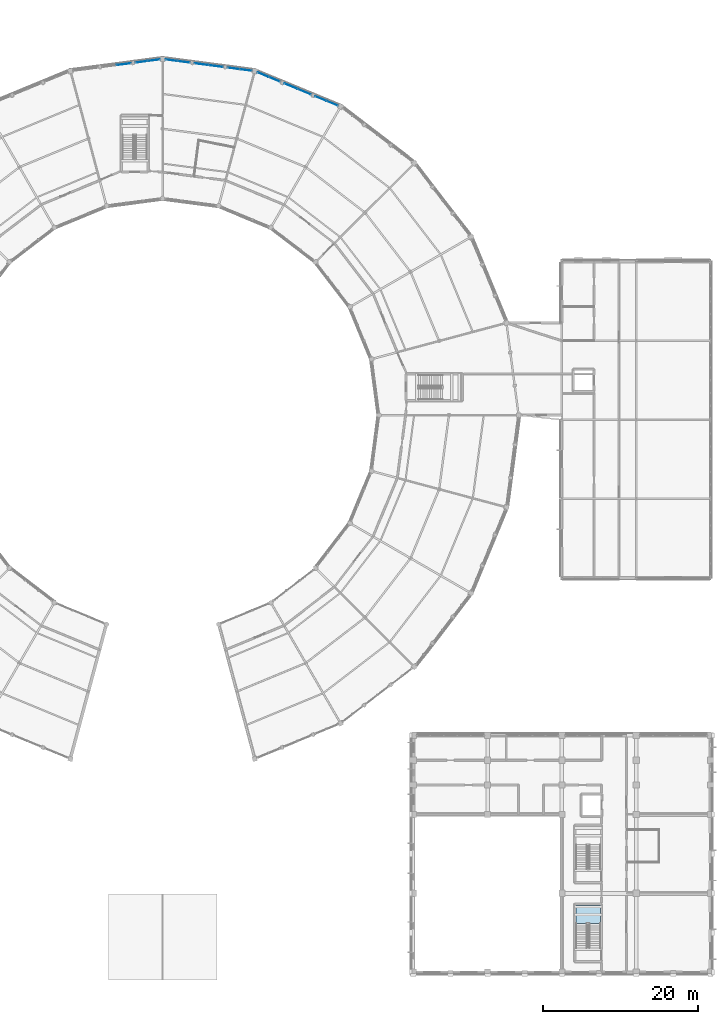
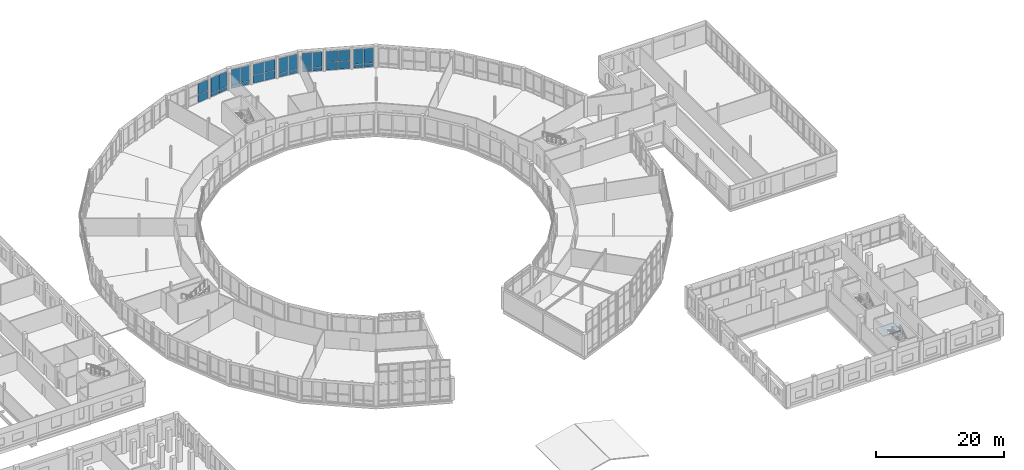
# One storey, part 131 of 170: 30 plates, 1 slab, 9 elements without a shape of their own.
"""IFC4 building model written with IfcOpenShell, lengths in metres."""

from ifc_helpers import new_model, si_unit, direction, frame, origin, origin_2d, place, context, subcontext, project, spatial, polyline, rectangle, outline, extrude, material, layer, layer_set, type_object, element, aggregate, save


model = new_model("IFC4")

# Units and contexts
model_context = context("Model", 3, precision=1e-05, world=origin(), true_north=direction((0.0, 1.0)))
body_context = subcontext(model_context, "Body", "Model", "MODEL_VIEW")
ifc_project = project(units=[si_unit("LENGTHUNIT", "METRE"), si_unit("AREAUNIT", "SQUARE_METRE"), si_unit("VOLUMEUNIT", "CUBIC_METRE"), si_unit("PLANEANGLEUNIT", "RADIAN"), si_unit("MASSUNIT", "GRAM", prefix="KILO")], contexts=[model_context])

# Site, building, storey
site_placement = place(None, origin())
site = spatial("IfcSite", under=ifc_project, at=site_placement, CompositionType="ELEMENT")
building_placement = place(site_placement, origin())
building = spatial("IfcBuilding", under=site, at=building_placement, Name="Vondelvale Polytechnic", CompositionType="ELEMENT")
storey_placement = place(building_placement, frame((0.0, 0.0, 5.39990234375)))
storey = spatial("IfcBuildingStorey", under=building, at=storey_placement, Name="L01", CompositionType="ELEMENT", Elevation=5.39990234375)

# Curtain wall, plates
ifc_material_1 = material(Name="Glulam GL18 structural Tasmanian oak (fb = 42 MPa)", Category="wood")
curtain_wall_type = type_object("IfcCurtainWallType", Name="CW-RING-OUTER", PredefinedType="NOTDEFINED", material=ifc_material_1)
curtain_wall_1_placement = place(storey_placement, origin())
curtain_wall_1 = element("IfcCurtainWall", 1, at=curtain_wall_1_placement, inside=storey, type_object=curtain_wall_type, Name="L01 architectural curtain wall CW-04-116", PredefinedType="NOTDEFINED")
ifc_material_2 = material(Name="Double-glazed low-E insulated architectural glass", Category="glass")
ifc_layer_1 = layer(ifc_material_2, 0.028076171875)
ifc_layer_set_1 = layer_set([ifc_layer_1], Name="CW-PANEL-GLAZED")
plate_type_1 = type_object("IfcPlateType", Name="CW-PANEL-GLAZED", PredefinedType="CURTAIN_PANEL", material=ifc_layer_set_1)
plate_1_placement = place(storey_placement, frame((123.92578125, 112.2822265625, 0.7802734375), z_axis=(0.0, 0.0, 1.0), x_axis=(-0.923882033442, 0.382677394529, 0.0)))
plate_1 = element("IfcPlate", 2, at=plate_1_placement, type_object=plate_type_1, Name="CW-04-116 panel 1.2", PredefinedType="CURTAIN_PANEL", context=body_context, shape_type="SweptSolid", body=[
    extrude(rectangle(XDim=1.530029296875, YDim=0.028076171875, at=origin_2d()), origin(), (0.0, 0.0, 1.0), 2.8798828125),
])
plate_2_placement = place(storey_placement, frame((122.4521484375, 112.892578125, 0.7802734375), z_axis=(0.0, 0.0, 1.0), x_axis=(-0.923882033442, 0.382677394529, 0.0)))
plate_2 = element("IfcPlate", 3, at=plate_2_placement, type_object=plate_type_1, Name="CW-04-116 panel 2.2", PredefinedType="CURTAIN_PANEL", context=body_context, shape_type="SweptSolid", body=[
    extrude(rectangle(XDim=1.530029296875, YDim=0.028076171875, at=origin_2d()), origin(), (0.0, 0.0, 1.0), 2.8798828125),
])

curtain_wall_2_placement = place(storey_placement, origin())
curtain_wall_2 = element("IfcCurtainWall", 4, at=curtain_wall_2_placement, inside=storey, type_object=curtain_wall_type, Name="L01 architectural curtain wall CW-04-118", PredefinedType="NOTDEFINED")
plate_3_placement = place(storey_placement, frame((116.453369140625, 115.377197265625, 0.7802734375), z_axis=(0.0, 0.0, 1.0), x_axis=(-0.923882033442, 0.382677394529, 0.0)))
plate_3 = element("IfcPlate", 5, at=plate_3_placement, type_object=plate_type_1, Name="CW-04-118 panel 1.2", PredefinedType="CURTAIN_PANEL", context=body_context, shape_type="SweptSolid", body=[
    extrude(rectangle(XDim=1.530029296875, YDim=0.028076171875, at=origin_2d()), origin(), (0.0, 0.0, 1.0), 2.8798828125),
])
plate_4_placement = place(storey_placement, frame((114.97998046875, 115.98779296875, 0.7802734375), z_axis=(0.0, 0.0, 1.0), x_axis=(-0.923882033442, 0.382677394529, 0.0)))
plate_4 = element("IfcPlate", 6, at=plate_4_placement, type_object=plate_type_1, Name="CW-04-118 panel 2.2", PredefinedType="CURTAIN_PANEL", context=body_context, shape_type="SweptSolid", body=[
    extrude(rectangle(XDim=1.530029296875, YDim=0.028076171875, at=origin_2d()), origin(), (0.0, 0.0, 1.0), 2.8798828125),
])

curtain_wall_3_placement = place(storey_placement, origin())
curtain_wall_3 = element("IfcCurtainWall", 7, at=curtain_wall_3_placement, inside=storey, type_object=curtain_wall_type, Name="L01 architectural curtain wall CW-04-136", PredefinedType="NOTDEFINED")
plate_5_placement = place(storey_placement, frame((112.7529296875, 116.584228515625, 0.7802734375), z_axis=(0.0, 0.0, 1.0), x_axis=(-0.991443102996, 0.130539547729, 0.0)))
plate_5 = element("IfcPlate", 8, at=plate_5_placement, type_object=plate_type_1, Name="CW-04-136 panel 1.2", PredefinedType="CURTAIN_PANEL", context=body_context, shape_type="SweptSolid", body=[
    extrude(rectangle(XDim=1.530029296875, YDim=0.028076171875, at=origin_2d()), origin(), (0.0, 0.0, 1.0), 2.8798828125),
])
plate_6_placement = place(storey_placement, frame((111.171630859375, 116.79248046875, 0.7802734375), z_axis=(0.0, 0.0, 1.0), x_axis=(-0.991443102996, 0.130539547729, 0.0)))
plate_6 = element("IfcPlate", 9, at=plate_6_placement, type_object=plate_type_1, Name="CW-04-136 panel 2.2", PredefinedType="CURTAIN_PANEL", context=body_context, shape_type="SweptSolid", body=[
    extrude(rectangle(XDim=1.530029296875, YDim=0.028076171875, at=origin_2d()), origin(), (0.0, 0.0, 1.0), 2.8798828125),
])

curtain_wall_4_placement = place(storey_placement, origin())
curtain_wall_4 = element("IfcCurtainWall", 10, at=curtain_wall_4_placement, inside=storey, type_object=curtain_wall_type, Name="L01 architectural curtain wall CW-04-137", PredefinedType="NOTDEFINED")
plate_7_placement = place(storey_placement, frame((108.8818359375, 117.093994140625, 1.6298828125), z_axis=(0.0, 0.0, 1.0), x_axis=(-0.991448671082, 0.130497251349, 0.0)))
plate_7 = element("IfcPlate", 11, at=plate_7_placement, type_object=plate_type_1, Name="CW-04-137 panel 1.2", PredefinedType="CURTAIN_PANEL", context=body_context, shape_type="SweptSolid", body=[
    extrude(rectangle(XDim=1.80908203125, YDim=0.028076171875, at=origin_2d()), origin(), (0.0, 0.0, 1.0), 2.030029296875),
])
plate_8_placement = place(storey_placement, frame((107.02392578125, 117.338623046875, 1.6298828125), z_axis=(0.0, 0.0, 1.0), x_axis=(-0.991448671082, 0.130497251349, 0.0)))
plate_8 = element("IfcPlate", 12, at=plate_8_placement, type_object=plate_type_1, Name="CW-04-137 panel 2.2", PredefinedType="CURTAIN_PANEL", context=body_context, shape_type="SweptSolid", body=[
    extrude(rectangle(XDim=1.80908203125, YDim=0.028076171875, at=origin_2d()), origin(), (0.0, 0.0, 1.0), 2.030029296875),
])

curtain_wall_5_placement = place(storey_placement, origin())
curtain_wall_5 = element("IfcCurtainWall", 13, at=curtain_wall_5_placement, inside=storey, type_object=curtain_wall_type, Name="L01 architectural curtain wall CW-04-138", PredefinedType="NOTDEFINED")
plate_9_placement = place(storey_placement, frame((104.734130859375, 117.64013671875, 0.7802734375), z_axis=(0.0, 0.0, 1.0), x_axis=(-0.991443102996, 0.130539547729, 0.0)))
plate_9 = element("IfcPlate", 14, at=plate_9_placement, type_object=plate_type_1, Name="CW-04-138 panel 1.2", PredefinedType="CURTAIN_PANEL", context=body_context, shape_type="SweptSolid", body=[
    extrude(rectangle(XDim=1.530029296875, YDim=0.028076171875, at=origin_2d()), origin(), (0.0, 0.0, 1.0), 2.8798828125),
])
plate_10_placement = place(storey_placement, frame((103.15283203125, 117.84814453125, 0.7802734375), z_axis=(0.0, 0.0, 1.0), x_axis=(-0.991443102996, 0.130539547729, 0.0)))
plate_10 = element("IfcPlate", 15, at=plate_10_placement, type_object=plate_type_1, Name="CW-04-138 panel 2.2", PredefinedType="CURTAIN_PANEL", context=body_context, shape_type="SweptSolid", body=[
    extrude(rectangle(XDim=1.530029296875, YDim=0.028076171875, at=origin_2d()), origin(), (0.0, 0.0, 1.0), 2.8798828125),
])

curtain_wall_6_placement = place(storey_placement, origin())
curtain_wall_6 = element("IfcCurtainWall", 16, at=curtain_wall_6_placement, inside=storey, type_object=curtain_wall_type, Name="L01 architectural curtain wall CW-04-156", PredefinedType="NOTDEFINED")
plate_11_placement = place(storey_placement, frame((100.84716796875, 117.84814453125, 0.7802734375), z_axis=(0.0, 0.0, 1.0), x_axis=(-0.991443102996, -0.130539547729, 0.0)))
plate_11 = element("IfcPlate", 17, at=plate_11_placement, type_object=plate_type_1, Name="CW-04-156 panel 1.2", PredefinedType="CURTAIN_PANEL", context=body_context, shape_type="SweptSolid", body=[
    extrude(rectangle(XDim=1.530029296875, YDim=0.028076171875, at=origin_2d()), origin(), (0.0, 0.0, 1.0), 2.8798828125),
])
plate_12_placement = place(storey_placement, frame((99.265869140625, 117.64013671875, 0.7802734375), z_axis=(0.0, 0.0, 1.0), x_axis=(-0.991443102996, -0.130539547729, 0.0)))
plate_12 = element("IfcPlate", 18, at=plate_12_placement, type_object=plate_type_1, Name="CW-04-156 panel 2.2", PredefinedType="CURTAIN_PANEL", context=body_context, shape_type="SweptSolid", body=[
    extrude(rectangle(XDim=1.530029296875, YDim=0.028076171875, at=origin_2d()), origin(), (0.0, 0.0, 1.0), 2.8798828125),
])

curtain_wall_7_placement = place(storey_placement, origin())
curtain_wall_7 = element("IfcCurtainWall", 19, at=curtain_wall_7_placement, inside=storey, type_object=curtain_wall_type, Name="L01 architectural curtain wall CW-04-117", PredefinedType="NOTDEFINED")
ifc_material_3 = material(Name="Engineered Tasmanian oak studio and bridge joinery")
ifc_layer_2 = layer(ifc_material_3, 0.0419921875)
ifc_layer_set_2 = layer_set([ifc_layer_2], Name="CW-PANEL-OAK")
plate_type_2 = type_object("IfcPlateType", Name="CW-PANEL-OAK", PredefinedType="CURTAIN_PANEL", material=ifc_layer_set_2)
plate_13_placement = place(storey_placement, frame((120.318603515625, 113.7763671875, 0.06005859375), z_axis=(0.0, 0.0, 1.0), x_axis=(-0.92387490701, 0.382694599123, 0.0)))
plate_13 = element("IfcPlate", 20, at=plate_13_placement, type_object=plate_type_2, Name="CW-04-117 panel 1.1", PredefinedType="CURTAIN_PANEL", context=body_context, shape_type="SweptSolid", body=[
    extrude(rectangle(XDim=1.80908203125, YDim=0.0419921875, at=origin_2d()), origin(), (0.0, 0.0, 1.0), 1.510009765625),
])
plate_14_placement = place(storey_placement, frame((120.318603515625, 113.7763671875, 1.6298828125), z_axis=(0.0, 0.0, 1.0), x_axis=(-0.92387490701, 0.382694599123, 0.0)))
plate_14 = element("IfcPlate", 21, at=plate_14_placement, type_object=plate_type_2, Name="CW-04-117 panel 1.2", PredefinedType="CURTAIN_PANEL", context=body_context, shape_type="SweptSolid", body=[
    extrude(rectangle(XDim=1.80908203125, YDim=0.0419921875, at=origin_2d()), origin(), (0.0, 0.0, 1.0), 2.030029296875),
])
plate_15_placement = place(storey_placement, frame((118.587158203125, 114.493408203125, 0.06005859375), z_axis=(0.0, 0.0, 1.0), x_axis=(-0.92387490701, 0.382694599123, 0.0)))
plate_15 = element("IfcPlate", 22, at=plate_15_placement, type_object=plate_type_2, Name="CW-04-117 panel 2.1", PredefinedType="CURTAIN_PANEL", context=body_context, shape_type="SweptSolid", body=[
    extrude(rectangle(XDim=1.80908203125, YDim=0.0419921875, at=origin_2d()), origin(), (0.0, 0.0, 1.0), 1.510009765625),
])
plate_16_placement = place(storey_placement, frame((118.587158203125, 114.493408203125, 1.6298828125), z_axis=(0.0, 0.0, 1.0), x_axis=(-0.92387490701, 0.382694599123, 0.0)))
plate_16 = element("IfcPlate", 23, at=plate_16_placement, type_object=plate_type_2, Name="CW-04-117 panel 2.2", PredefinedType="CURTAIN_PANEL", context=body_context, shape_type="SweptSolid", body=[
    extrude(rectangle(XDim=1.80908203125, YDim=0.0419921875, at=origin_2d()), origin(), (0.0, 0.0, 1.0), 2.030029296875),
])
aggregate(curtain_wall_7, [plate_13, plate_14, plate_15, plate_16])

# Plate
plate_17_placement = place(storey_placement, frame((108.8818359375, 117.093994140625, 0.06005859375), z_axis=(0.0, 0.0, 1.0), x_axis=(-0.991448671082, 0.130497251349, 0.0)))
plate_17 = element("IfcPlate", 24, at=plate_17_placement, type_object=plate_type_2, Name="CW-04-137 panel 1.1", PredefinedType="CURTAIN_PANEL", context=body_context, shape_type="SweptSolid", body=[
    extrude(rectangle(XDim=1.80908203125, YDim=0.0419921875, at=origin_2d()), origin(), (0.0, 0.0, 1.0), 1.510009765625),
])

plate_18_placement = place(storey_placement, frame((107.02392578125, 117.338623046875, 0.06005859375), z_axis=(0.0, 0.0, 1.0), x_axis=(-0.991448671082, 0.130497251349, 0.0)))
plate_18 = element("IfcPlate", 25, at=plate_18_placement, type_object=plate_type_2, Name="CW-04-137 panel 2.1", PredefinedType="CURTAIN_PANEL", context=body_context, shape_type="SweptSolid", body=[
    extrude(rectangle(XDim=1.80908203125, YDim=0.0419921875, at=origin_2d()), origin(), (0.0, 0.0, 1.0), 1.510009765625),
])

aggregate(curtain_wall_4, [plate_17, plate_7, plate_18, plate_8])

# Curtain wall, plates
curtain_wall_8_placement = place(storey_placement, origin())
curtain_wall_8 = element("IfcCurtainWall", 26, at=curtain_wall_8_placement, inside=storey, type_object=curtain_wall_type, Name="L01 architectural curtain wall CW-04-157", PredefinedType="NOTDEFINED")
plate_19_placement = place(storey_placement, frame((96.97607421875, 117.338623046875, 0.06005859375), z_axis=(0.0, 0.0, 1.0), x_axis=(-0.991448671082, -0.130497251349, 0.0)))
plate_19 = element("IfcPlate", 27, at=plate_19_placement, type_object=plate_type_2, Name="CW-04-157 panel 1.1", PredefinedType="CURTAIN_PANEL", context=body_context, shape_type="SweptSolid", body=[
    extrude(rectangle(XDim=1.80908203125, YDim=0.0419921875, at=origin_2d()), origin(), (0.0, 0.0, 1.0), 1.510009765625),
])
plate_20_placement = place(storey_placement, frame((96.97607421875, 117.338623046875, 1.6298828125), z_axis=(0.0, 0.0, 1.0), x_axis=(-0.991448671082, -0.130497251349, 0.0)))
plate_20 = element("IfcPlate", 28, at=plate_20_placement, type_object=plate_type_2, Name="CW-04-157 panel 1.2", PredefinedType="CURTAIN_PANEL", context=body_context, shape_type="SweptSolid", body=[
    extrude(rectangle(XDim=1.80908203125, YDim=0.0419921875, at=origin_2d()), origin(), (0.0, 0.0, 1.0), 2.030029296875),
])
aggregate(curtain_wall_8, [plate_19, plate_20])

# Plate
ifc_material_4 = material(Name="Kiln-fired architectural terracotta", Category="masonry")
ifc_layer_3 = layer(ifc_material_4, 0.035888671875)
ifc_layer_set_3 = layer_set([ifc_layer_3], Name="CW-PANEL-SPANDREL")
plate_type_3 = type_object("IfcPlateType", Name="CW-PANEL-SPANDREL", PredefinedType="CURTAIN_PANEL", material=ifc_layer_set_3)
plate_21_placement = place(storey_placement, frame((123.92578125, 112.2822265625, 0.06005859375), z_axis=(0.0, 0.0, 1.0), x_axis=(-0.923882033442, 0.382677394529, 0.0)))
plate_21 = element("IfcPlate", 29, at=plate_21_placement, type_object=plate_type_3, Name="CW-04-116 panel 1.1", PredefinedType="CURTAIN_PANEL", context=body_context, shape_type="SweptSolid", body=[
    extrude(rectangle(XDim=1.530029296875, YDim=0.035888671875, at=origin_2d()), origin(), (0.0, 0.0, 1.0), 0.659912109375),
])

plate_22_placement = place(storey_placement, frame((122.4521484375, 112.892578125, 0.06005859375), z_axis=(0.0, 0.0, 1.0), x_axis=(-0.923882033442, 0.382677394529, 0.0)))
plate_22 = element("IfcPlate", 30, at=plate_22_placement, type_object=plate_type_3, Name="CW-04-116 panel 2.1", PredefinedType="CURTAIN_PANEL", context=body_context, shape_type="SweptSolid", body=[
    extrude(rectangle(XDim=1.530029296875, YDim=0.035888671875, at=origin_2d()), origin(), (0.0, 0.0, 1.0), 0.659912109375),
])

aggregate(curtain_wall_1, [plate_21, plate_1, plate_22, plate_2])

plate_23_placement = place(storey_placement, frame((116.453369140625, 115.377197265625, 0.06005859375), z_axis=(0.0, 0.0, 1.0), x_axis=(-0.923882033442, 0.382677394529, 0.0)))
plate_23 = element("IfcPlate", 31, at=plate_23_placement, type_object=plate_type_3, Name="CW-04-118 panel 1.1", PredefinedType="CURTAIN_PANEL", context=body_context, shape_type="SweptSolid", body=[
    extrude(rectangle(XDim=1.530029296875, YDim=0.035888671875, at=origin_2d()), origin(), (0.0, 0.0, 1.0), 0.659912109375),
])

plate_24_placement = place(storey_placement, frame((114.97998046875, 115.98779296875, 0.06005859375), z_axis=(0.0, 0.0, 1.0), x_axis=(-0.923882033442, 0.382677394529, 0.0)))
plate_24 = element("IfcPlate", 32, at=plate_24_placement, type_object=plate_type_3, Name="CW-04-118 panel 2.1", PredefinedType="CURTAIN_PANEL", context=body_context, shape_type="SweptSolid", body=[
    extrude(rectangle(XDim=1.530029296875, YDim=0.035888671875, at=origin_2d()), origin(), (0.0, 0.0, 1.0), 0.659912109375),
])

aggregate(curtain_wall_2, [plate_23, plate_3, plate_24, plate_4])

plate_25_placement = place(storey_placement, frame((112.7529296875, 116.584228515625, 0.06005859375), z_axis=(0.0, 0.0, 1.0), x_axis=(-0.991443102996, 0.130539547729, 0.0)))
plate_25 = element("IfcPlate", 33, at=plate_25_placement, type_object=plate_type_3, Name="CW-04-136 panel 1.1", PredefinedType="CURTAIN_PANEL", context=body_context, shape_type="SweptSolid", body=[
    extrude(rectangle(XDim=1.530029296875, YDim=0.035888671875, at=origin_2d()), origin(), (0.0, 0.0, 1.0), 0.659912109375),
])

plate_26_placement = place(storey_placement, frame((111.171630859375, 116.79248046875, 0.06005859375), z_axis=(0.0, 0.0, 1.0), x_axis=(-0.991443102996, 0.130539547729, 0.0)))
plate_26 = element("IfcPlate", 34, at=plate_26_placement, type_object=plate_type_3, Name="CW-04-136 panel 2.1", PredefinedType="CURTAIN_PANEL", context=body_context, shape_type="SweptSolid", body=[
    extrude(rectangle(XDim=1.530029296875, YDim=0.035888671875, at=origin_2d()), origin(), (0.0, 0.0, 1.0), 0.659912109375),
])

aggregate(curtain_wall_3, [plate_25, plate_5, plate_26, plate_6])

plate_27_placement = place(storey_placement, frame((104.734130859375, 117.64013671875, 0.06005859375), z_axis=(0.0, 0.0, 1.0), x_axis=(-0.991443102996, 0.130539547729, 0.0)))
plate_27 = element("IfcPlate", 35, at=plate_27_placement, type_object=plate_type_3, Name="CW-04-138 panel 1.1", PredefinedType="CURTAIN_PANEL", context=body_context, shape_type="SweptSolid", body=[
    extrude(rectangle(XDim=1.530029296875, YDim=0.035888671875, at=origin_2d()), origin(), (0.0, 0.0, 1.0), 0.659912109375),
])

plate_28_placement = place(storey_placement, frame((103.15283203125, 117.84814453125, 0.06005859375), z_axis=(0.0, 0.0, 1.0), x_axis=(-0.991443102996, 0.130539547729, 0.0)))
plate_28 = element("IfcPlate", 36, at=plate_28_placement, type_object=plate_type_3, Name="CW-04-138 panel 2.1", PredefinedType="CURTAIN_PANEL", context=body_context, shape_type="SweptSolid", body=[
    extrude(rectangle(XDim=1.530029296875, YDim=0.035888671875, at=origin_2d()), origin(), (0.0, 0.0, 1.0), 0.659912109375),
])

aggregate(curtain_wall_5, [plate_27, plate_9, plate_28, plate_10])

plate_29_placement = place(storey_placement, frame((100.84716796875, 117.84814453125, 0.06005859375), z_axis=(0.0, 0.0, 1.0), x_axis=(-0.991443102996, -0.130539547729, 0.0)))
plate_29 = element("IfcPlate", 37, at=plate_29_placement, type_object=plate_type_3, Name="CW-04-156 panel 1.1", PredefinedType="CURTAIN_PANEL", context=body_context, shape_type="SweptSolid", body=[
    extrude(rectangle(XDim=1.530029296875, YDim=0.035888671875, at=origin_2d()), origin(), (0.0, 0.0, 1.0), 0.659912109375),
])

plate_30_placement = place(storey_placement, frame((99.265869140625, 117.64013671875, 0.06005859375), z_axis=(0.0, 0.0, 1.0), x_axis=(-0.991443102996, -0.130539547729, 0.0)))
plate_30 = element("IfcPlate", 38, at=plate_30_placement, type_object=plate_type_3, Name="CW-04-156 panel 2.1", PredefinedType="CURTAIN_PANEL", context=body_context, shape_type="SweptSolid", body=[
    extrude(rectangle(XDim=1.530029296875, YDim=0.035888671875, at=origin_2d()), origin(), (0.0, 0.0, 1.0), 0.659912109375),
])

aggregate(curtain_wall_6, [plate_29, plate_11, plate_30, plate_12])

# Stair, slab
ifc_material_5 = material(Name="Concrete N40 (f'c = 40 MPa)", Category="concrete")
stair_type = type_object("IfcStairType", Name="STR-DOG-1500", PredefinedType="HALF_TURN_STAIR", material=ifc_material_5)
stair_placement = place(storey_placement, origin())
stair = element("IfcStair", 39, at=stair_placement, inside=storey, type_object=stair_type, Name="L01 ST-06", PredefinedType="HALF_TURN_STAIR")
ifc_layer_4 = layer(ifc_material_5, 0.199951171875)
ifc_layer_set_4 = layer_set([ifc_layer_4], Name="SLB-LANDING-200")
slab_type = type_object("IfcSlabType", Name="SLB-LANDING-200", PredefinedType="LANDING", material=ifc_layer_set_4)
slab_placement = place(storey_placement, frame((0.0, 0.0, 1.900146484375)))
slab = element("IfcSlab", 40, at=slab_placement, type_object=slab_type, Name="ST-06 landing 1", PredefinedType="LANDING", context=body_context, shape_type="SweptSolid", body=[
    extrude(outline(polyline([(158.60009765625, 6.284912109375), (158.60009765625, 8.699951171875), (155.39990234375, 8.699951171875), (155.39990234375, 6.284912109375), (158.60009765625, 6.284912109375)])), origin(), (0.0, 0.0, 1.0), 0.199951171875),
])
aggregate(stair, [slab])

save(model, "model.ifc")
